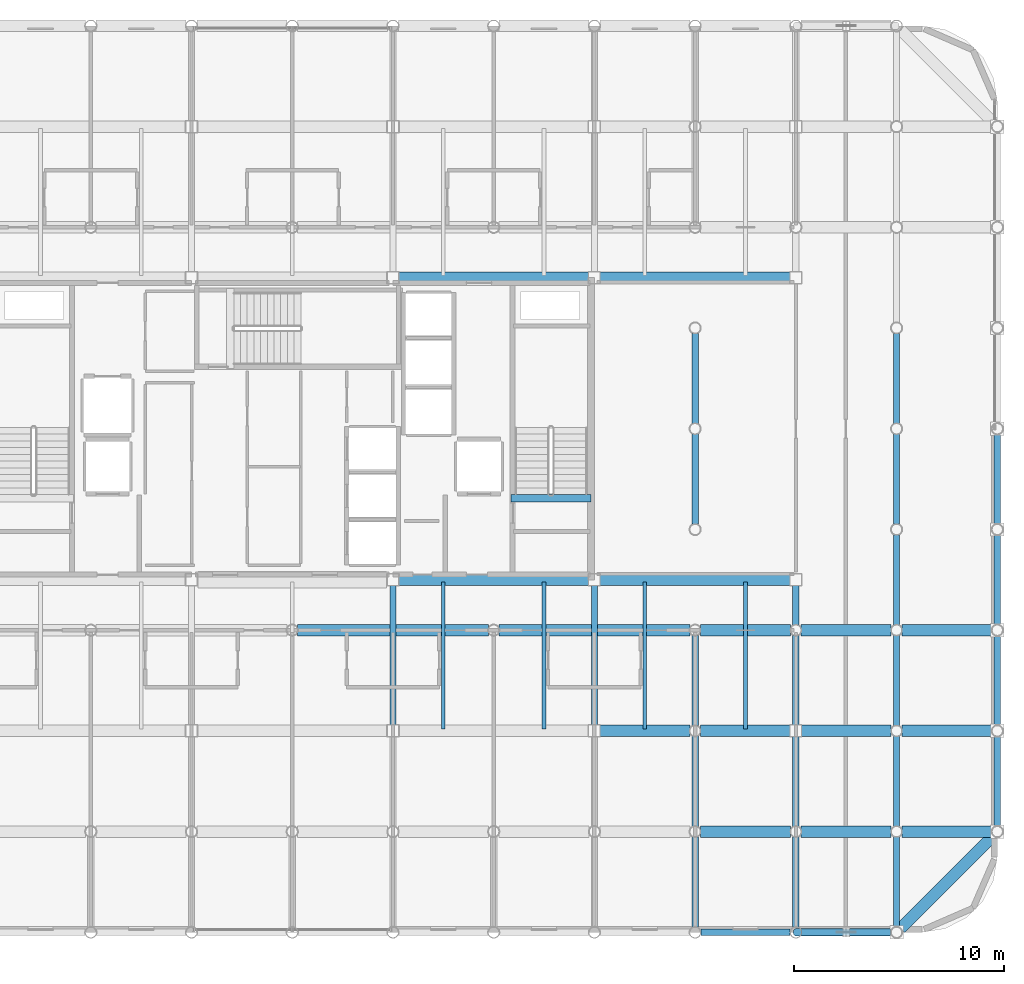
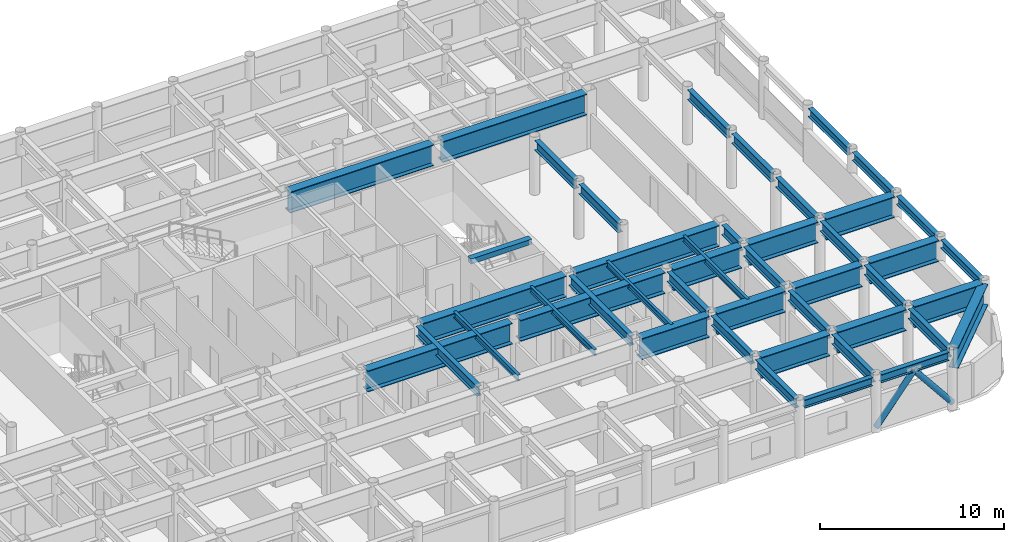
# One storey, part 9 of 22: 45 beams, 2 members.
"""IFC4 building model written with IfcOpenShell, lengths in metres."""

from ifc_helpers import new_model, si_unit, direction, frame, origin, origin_2d, place, context, subcontext, project, spatial, rectangle, hollow_circle, i_section, extrude, material, material_profile, profile_set, type_object, element, save


model = new_model("IFC4")

# Units and contexts
model_context = context("Model", 3, precision=1e-05, world=origin(), true_north=direction((0.0, 1.0)))
body_context = subcontext(model_context, "Body", "Model", "MODEL_VIEW")
ifc_project = project(units=[si_unit("LENGTHUNIT", "METRE"), si_unit("AREAUNIT", "SQUARE_METRE"), si_unit("VOLUMEUNIT", "CUBIC_METRE"), si_unit("PLANEANGLEUNIT", "RADIAN"), si_unit("MASSUNIT", "GRAM", prefix="KILO")], contexts=[model_context])

# Site, building, storey
site_placement = place(None, origin())
site = spatial("IfcSite", under=ifc_project, at=site_placement, CompositionType="ELEMENT")
building_placement = place(site_placement, origin())
building = spatial("IfcBuilding", under=site, at=building_placement, Name="Kallvorn Hotel Tower", CompositionType="ELEMENT")
storey_placement = place(building_placement, frame((0.0, 0.0, 191.5)))
storey = spatial("IfcBuildingStorey", under=building, at=storey_placement, Name="L47", CompositionType="ELEMENT", Elevation=191.5)

# Beams
ifc_material_1 = material(Name="Structural steel S355JR", Category="steel")
ifc_material_profile_1 = material_profile(ifc_material_1, i_section(OverallWidth=0.300048828125, OverallDepth=0.550048828125, WebThickness=0.014892578125, FlangeThickness=0.029052734375, at=origin_2d()), Name="HE 550 B")
ifc_profile_set_1 = profile_set([ifc_material_profile_1], Name="Structural steel S355JR")
beam_type_1 = type_object("IfcBeamType", Name="BM_HE550B", PredefinedType="SPANDREL", material=ifc_profile_set_1)
for number, where, z_axis, x_axis, name in (
    (1, (19.469482421875, -24.0, 3.39501953125), (1.0, 0.0, 0.0), (0.0, 1.0, 0.0), "L48 Perimeter Spandrel 160"),
    (2, (24.26953125, -24.0, 3.39501953125), (1.0, 0.0, 0.0), (0.0, 1.0, 0.0), "L48 Perimeter Spandrel 161"),
    (3, (33.60009765625, -18.930419921875, 3.39501953125), (0.0, 1.0, 0.0), (-1.0, 0.0, 0.0), "L48 Perimeter Spandrel 182"),
):
    element("IfcBeam", number, at=place(storey_placement, frame(where, z_axis=z_axis, x_axis=x_axis)), inside=storey, type_object=beam_type_1, Name=name, PredefinedType="SPANDREL", context=body_context, shape_type="SweptSolid", body=[
        extrude(i_section(OverallWidth=0.300048828125, OverallDepth=0.550048828125, WebThickness=0.014892578125, FlangeThickness=0.029052734375, at=origin_2d()), origin(), (0.0, 0.0, 1.0), 4.260986328125),
    ])
beam_1_placement = place(storey_placement, frame((33.60009765625, -14.130615234375, 3.39501953125), z_axis=(0.0, 1.0, 0.0), x_axis=(-1.0, 0.0, 0.0)))
element("IfcBeam", 4, at=beam_1_placement, inside=storey, type_object=beam_type_1, Name="L48 Perimeter Spandrel 183", PredefinedType="SPANDREL", context=body_context, shape_type="SweptSolid", body=[
    extrude(i_section(OverallWidth=0.300048828125, OverallDepth=0.550048828125, WebThickness=0.014892578125, FlangeThickness=0.029052734375, at=origin_2d()), origin(), (0.0, 0.0, 1.0), 4.26123046875),
])
for number, where, z_axis, x_axis, name in (
    (5, (33.60009765625, -9.33056640625, 3.39501953125), (0.0, 1.0, 0.0), (-1.0, 0.0, 0.0), "L48 Perimeter Spandrel 184"),
    (6, (33.60009765625, -4.530517578125, 3.39501953125), (0.0, 1.0, 0.0), (-1.0, 0.0, 0.0), "L48 Perimeter Spandrel 185"),
):
    element("IfcBeam", number, at=place(storey_placement, frame(where, z_axis=z_axis, x_axis=x_axis)), inside=storey, type_object=beam_type_1, Name=name, PredefinedType="SPANDREL", context=body_context, shape_type="SweptSolid", body=[
        extrude(i_section(OverallWidth=0.300048828125, OverallDepth=0.550048828125, WebThickness=0.014892578125, FlangeThickness=0.029052734375, at=origin_2d()), origin(), (0.0, 0.0, 1.0), 4.260986328125),
    ])
ifc_material_2 = material(Name="Structural steel S355JR", Category="steel")
ifc_material_profile_2 = material_profile(ifc_material_2, i_section(OverallWidth=0.300048828125, OverallDepth=0.64990234375, WebThickness=0.01611328125, FlangeThickness=0.031005859375, at=origin_2d()), Name="HE 650 B")
ifc_profile_set_2 = profile_set([ifc_material_profile_2], Name="Structural steel S355JR")
beam_type_2 = type_object("IfcBeamType", Name="BM_HE650B", PredefinedType="BEAM", material=ifc_profile_set_2)
for number, where, z_axis, x_axis, name in (
    (7, (4.800048828125, -14.125, 3.344970703125), (0.0, 1.0, 0.0), (-1.0, 0.0, 0.0), "L48 Primary Y-Girder 115"),
    (8, (14.39990234375, -14.125, 3.344970703125), (0.0, 1.0, 0.0), (-1.0, 0.0, 0.0), "L48 Primary Y-Girder 123"),
):
    element("IfcBeam", number, at=place(storey_placement, frame(where, z_axis=z_axis, x_axis=x_axis)), inside=storey, type_object=beam_type_2, Name=name, PredefinedType="BEAM", context=body_context, shape_type="SweptSolid", body=[
        extrude(i_section(OverallWidth=0.300048828125, OverallDepth=0.64990234375, WebThickness=0.01611328125, FlangeThickness=0.031005859375, at=origin_2d()), origin(), (0.0, 0.0, 1.0), 6.64990234375),
    ])
for number, where, z_axis, x_axis, name in (
    (9, (19.199951171875, -23.74560546875, 3.344970703125), (0.0, 1.0, 0.0), (-1.0, 0.0, 0.0), "L48 Primary Y-Girder 126"),
    (10, (19.199951171875, -18.945556640625, 3.344970703125), (0.0, 1.0, 0.0), (-1.0, 0.0, 0.0), "L48 Primary Y-Girder 127"),
    (11, (19.199951171875, -14.1455078125, 3.344970703125), (0.0, 1.0, 0.0), (-1.0, 0.0, 0.0), "L48 Primary Y-Girder 128"),
    (12, (19.199951171875, -4.54541015625, 3.344970703125), (0.0, 1.0, 0.0), (-1.0, 0.0, 0.0), "L48 Primary Y-Girder 130"),
    (13, (19.199951171875, 0.25439453125, 3.344970703125), (0.0, 1.0, 0.0), (-1.0, 0.0, 0.0), "L48 Primary Y-Girder 131"),
    (14, (24.0, -23.74560546875, 3.344970703125), (0.0, 1.0, 0.0), (-1.0, 0.0, 0.0), "L48 Primary Y-Girder 135"),
):
    element("IfcBeam", number, at=place(storey_placement, frame(where, z_axis=z_axis, x_axis=x_axis)), inside=storey, type_object=beam_type_2, Name=name, PredefinedType="BEAM", context=body_context, shape_type="SweptSolid", body=[
        extrude(i_section(OverallWidth=0.300048828125, OverallDepth=0.64990234375, WebThickness=0.01611328125, FlangeThickness=0.031005859375, at=origin_2d()), origin(), (0.0, 0.0, 1.0), 4.291015625),
    ])
for number, where, z_axis, x_axis, name in (
    (15, (24.0, -18.945556640625, 3.344970703125), (0.0, 1.0, 0.0), (-1.0, 0.0, 0.0), "L48 Primary Y-Girder 136"),
    (16, (24.0, -14.125, 3.344970703125), (0.0, 1.0, 0.0), (-1.0, 0.0, 0.0), "L48 Primary Y-Girder 137"),
):
    element("IfcBeam", number, at=place(storey_placement, frame(where, z_axis=z_axis, x_axis=x_axis)), inside=storey, type_object=beam_type_2, Name=name, PredefinedType="BEAM", context=body_context, shape_type="SweptSolid", body=[
        extrude(i_section(OverallWidth=0.300048828125, OverallDepth=0.64990234375, WebThickness=0.01611328125, FlangeThickness=0.031005859375, at=origin_2d()), origin(), (0.0, 0.0, 1.0), 4.2705078125),
    ])
beam_2_placement = place(storey_placement, frame((24.0, -9.345458984375, 3.344970703125), z_axis=(0.0, 1.0, 0.0), x_axis=(-1.0, 0.0, 0.0)))
element("IfcBeam", 17, at=beam_2_placement, inside=storey, type_object=beam_type_2, Name="L48 Primary Y-Girder 138", PredefinedType="BEAM", context=body_context, shape_type="SweptSolid", body=[
    extrude(i_section(OverallWidth=0.300048828125, OverallDepth=0.64990234375, WebThickness=0.01611328125, FlangeThickness=0.031005859375, at=origin_2d()), origin(), (0.0, 0.0, 1.0), 1.870361328125),
])
for number, where, z_axis, x_axis, name in (
    (18, (28.800048828125, -23.74560546875, 3.344970703125), (0.0, 1.0, 0.0), (-1.0, 0.0, 0.0), "L48 Primary Y-Girder 142"),
    (19, (28.800048828125, -18.945556640625, 3.344970703125), (0.0, 1.0, 0.0), (-1.0, 0.0, 0.0), "L48 Primary Y-Girder 143"),
    (20, (28.800048828125, -14.1455078125, 3.344970703125), (0.0, 1.0, 0.0), (-1.0, 0.0, 0.0), "L48 Primary Y-Girder 144"),
    (21, (28.800048828125, -9.345458984375, 3.344970703125), (0.0, 1.0, 0.0), (-1.0, 0.0, 0.0), "L48 Primary Y-Girder 145"),
    (22, (28.800048828125, -4.54541015625, 3.344970703125), (0.0, 1.0, 0.0), (-1.0, 0.0, 0.0), "L48 Primary Y-Girder 146"),
    (23, (28.800048828125, 0.25439453125, 3.344970703125), (0.0, 1.0, 0.0), (-1.0, 0.0, 0.0), "L48 Primary Y-Girder 147"),
):
    element("IfcBeam", number, at=place(storey_placement, frame(where, z_axis=z_axis, x_axis=x_axis)), inside=storey, type_object=beam_type_2, Name=name, PredefinedType="BEAM", context=body_context, shape_type="SweptSolid", body=[
        extrude(i_section(OverallWidth=0.300048828125, OverallDepth=0.64990234375, WebThickness=0.01611328125, FlangeThickness=0.031005859375, at=origin_2d()), origin(), (0.0, 0.0, 1.0), 4.291015625),
    ])
ifc_material_3 = material(Name="Structural steel S355JR", Category="steel")
ifc_material_profile_3 = material_profile(ifc_material_3, i_section(OverallWidth=0.179931640625, OverallDepth=0.39990234375, WebThickness=0.008544921875, FlangeThickness=0.013427734375, at=origin_2d()), Name="IPE 400")
ifc_profile_set_3 = profile_set([ifc_material_profile_3], Name="Structural steel S355JR")
beam_type_3 = type_object("IfcBeamType", Name="BM_IPE400", PredefinedType="JOIST", material=ifc_profile_set_3)
for number, where, z_axis, x_axis, name in (
    (24, (7.199951171875, -14.300048828125, 3.469970703125), (0.0, 1.0, 0.0), (-1.0, 0.0, 0.0), "L48 Secondary Composite Joist 202"),
    (25, (12.0, -14.300048828125, 3.469970703125), (0.0, 1.0, 0.0), (-1.0, 0.0, 0.0), "L48 Secondary Composite Joist 204"),
    (26, (16.800048828125, -14.300048828125, 3.469970703125), (0.0, 1.0, 0.0), (-1.0, 0.0, 0.0), "L48 Secondary Composite Joist 206"),
    (27, (21.60009765625, -14.300048828125, 3.469970703125), (0.0, 1.0, 0.0), (-1.0, 0.0, 0.0), "L48 Secondary Composite Joist 208"),
):
    element("IfcBeam", number, at=place(storey_placement, frame(where, z_axis=z_axis, x_axis=x_axis)), inside=storey, type_object=beam_type_3, Name=name, PredefinedType="JOIST", context=body_context, shape_type="SweptSolid", body=[
        extrude(i_section(OverallWidth=0.179931640625, OverallDepth=0.39990234375, WebThickness=0.008544921875, FlangeThickness=0.013427734375, at=origin_2d()), origin(), (0.0, 0.0, 1.0), 7.0),
    ])
ifc_material_4 = material(Name="Structural steel S355JR", Category="steel")
ifc_material_profile_4 = material_profile(ifc_material_4, i_section(OverallWidth=0.550048828125, OverallDepth=1.39990234375, WebThickness=0.02490234375, FlangeThickness=0.044921875, at=origin_2d()), Name="PG 1400x550x25x45")
ifc_profile_set_4 = profile_set([ifc_material_profile_4], Name="Structural steel S355JR")
beam_type_4 = type_object("IfcBeamType", Name="BM_PG_1400", PredefinedType="BEAM", material=ifc_profile_set_4)
for number, where, z_axis, x_axis, name in (
    (28, (19.45458984375, -19.199951171875, 2.969970703125), (1.0, 0.0, 0.0), (0.0, 1.0, 0.0), "L48 Primary X-Girder 11"),
    (29, (24.25439453125, -19.199951171875, 2.969970703125), (1.0, 0.0, 0.0), (0.0, 1.0, 0.0), "L48 Primary X-Girder 12"),
    (30, (29.054443359375, -19.199951171875, 2.969970703125), (1.0, 0.0, 0.0), (0.0, 1.0, 0.0), "L48 Primary X-Girder 13"),
):
    element("IfcBeam", number, at=place(storey_placement, frame(where, z_axis=z_axis, x_axis=x_axis)), inside=storey, type_object=beam_type_4, Name=name, PredefinedType="BEAM", context=body_context, shape_type="SweptSolid", body=[
        extrude(i_section(OverallWidth=0.550048828125, OverallDepth=1.39990234375, WebThickness=0.02490234375, FlangeThickness=0.044921875, at=origin_2d()), origin(), (0.0, 0.0, 1.0), 4.291015625),
    ])
for number, where, z_axis, x_axis, name in (
    (31, (14.675048828125, -14.39990234375, 2.969970703125), (1.0, 0.0, 0.0), (0.0, 1.0, 0.0), "L48 Primary X-Girder 20"),
    (32, (19.45458984375, -14.39990234375, 2.969970703125), (1.0, 0.0, 0.0), (0.0, 1.0, 0.0), "L48 Primary X-Girder 21"),
    (33, (24.27490234375, -14.39990234375, 2.969970703125), (1.0, 0.0, 0.0), (0.0, 1.0, 0.0), "L48 Primary X-Girder 22"),
):
    element("IfcBeam", number, at=place(storey_placement, frame(where, z_axis=z_axis, x_axis=x_axis)), inside=storey, type_object=beam_type_4, Name=name, PredefinedType="BEAM", context=body_context, shape_type="SweptSolid", body=[
        extrude(i_section(OverallWidth=0.550048828125, OverallDepth=1.39990234375, WebThickness=0.02490234375, FlangeThickness=0.044921875, at=origin_2d()), origin(), (0.0, 0.0, 1.0), 4.2705078125),
    ])
beam_3_placement = place(storey_placement, frame((29.054443359375, -14.39990234375, 2.969970703125), z_axis=(1.0, 0.0, 0.0), x_axis=(0.0, 1.0, 0.0)))
element("IfcBeam", 34, at=beam_3_placement, inside=storey, type_object=beam_type_4, Name="L48 Primary X-Girder 23", PredefinedType="BEAM", context=body_context, shape_type="SweptSolid", body=[
    extrude(i_section(OverallWidth=0.550048828125, OverallDepth=1.39990234375, WebThickness=0.02490234375, FlangeThickness=0.044921875, at=origin_2d()), origin(), (0.0, 0.0, 1.0), 4.291015625),
])
for number, where, z_axis, x_axis, name in (
    (35, (0.25439453125, -9.60009765625, 2.969970703125), (1.0, 0.0, 0.0), (0.0, 1.0, 0.0), "L48 Primary X-Girder 28"),
    (36, (9.8544921875, -9.60009765625, 2.969970703125), (1.0, 0.0, 0.0), (0.0, 1.0, 0.0), "L48 Primary X-Girder 29"),
):
    element("IfcBeam", number, at=place(storey_placement, frame(where, z_axis=z_axis, x_axis=x_axis)), inside=storey, type_object=beam_type_4, Name=name, PredefinedType="BEAM", context=body_context, shape_type="SweptSolid", body=[
        extrude(i_section(OverallWidth=0.550048828125, OverallDepth=1.39990234375, WebThickness=0.02490234375, FlangeThickness=0.044921875, at=origin_2d()), origin(), (0.0, 0.0, 1.0), 9.091064453125),
    ])
for number, where, z_axis, x_axis, name in (
    (37, (19.45458984375, -9.60009765625, 2.969970703125), (1.0, 0.0, 0.0), (0.0, 1.0, 0.0), "L48 Primary X-Girder 30"),
    (38, (24.25439453125, -9.60009765625, 2.969970703125), (1.0, 0.0, 0.0), (0.0, 1.0, 0.0), "L48 Primary X-Girder 31"),
    (39, (29.054443359375, -9.60009765625, 2.969970703125), (1.0, 0.0, 0.0), (0.0, 1.0, 0.0), "L48 Primary X-Girder 32"),
):
    element("IfcBeam", number, at=place(storey_placement, frame(where, z_axis=z_axis, x_axis=x_axis)), inside=storey, type_object=beam_type_4, Name=name, PredefinedType="BEAM", context=body_context, shape_type="SweptSolid", body=[
        extrude(i_section(OverallWidth=0.550048828125, OverallDepth=1.39990234375, WebThickness=0.02490234375, FlangeThickness=0.044921875, at=origin_2d()), origin(), (0.0, 0.0, 1.0), 4.291015625),
    ])
for number, where, z_axis, x_axis, name in (
    (40, (5.074951171875, -7.199951171875, 2.969970703125), (1.0, 0.0, 0.0), (0.0, 1.0, 0.0), "L48 Primary X-Girder 35"),
    (41, (14.675048828125, -7.199951171875, 2.969970703125), (1.0, 0.0, 0.0), (0.0, 1.0, 0.0), "L48 Primary X-Girder 36"),
    (42, (5.074951171875, 7.199951171875, 2.969970703125), (1.0, 0.0, 0.0), (0.0, 1.0, 0.0), "L48 Primary X-Girder 40"),
    (43, (14.675048828125, 7.199951171875, 2.969970703125), (1.0, 0.0, 0.0), (0.0, 1.0, 0.0), "L48 Primary X-Girder 41"),
):
    element("IfcBeam", number, at=place(storey_placement, frame(where, z_axis=z_axis, x_axis=x_axis)), inside=storey, type_object=beam_type_4, Name=name, PredefinedType="BEAM", context=body_context, shape_type="SweptSolid", body=[
        extrude(i_section(OverallWidth=0.550048828125, OverallDepth=1.39990234375, WebThickness=0.02490234375, FlangeThickness=0.044921875, at=origin_2d()), origin(), (0.0, 0.0, 1.0), 9.050048828125),
    ])
beam_4_placement = place(storey_placement, frame((33.409423828125, -19.390625, 2.969970703125), z_axis=(-0.707126314793, -0.707087247041, 0.0), x_axis=(0.707087247041, -0.707126314793, 0.0)))
element("IfcBeam", 44, at=beam_4_placement, inside=storey, type_object=beam_type_4, Name="L48 Rounded Corner Tie Beam 190", PredefinedType="BEAM", context=body_context, shape_type="SweptSolid", body=[
    extrude(i_section(OverallWidth=0.550048828125, OverallDepth=1.39990234375, WebThickness=0.02490234375, FlangeThickness=0.044921875, at=origin_2d()), origin(), (0.0, 0.0, 1.0), 6.249267578125),
])
ifc_material_5 = material(Name="Concrete C50/60", Category="concrete")
ifc_material_profile_5 = material_profile(ifc_material_5, rectangle(XDim=0.360107421875, YDim=0.340087890625, at=origin_2d()), Name="RC 360x340")
ifc_profile_set_5 = profile_set([ifc_material_profile_5], Name="Concrete C50/60")
beam_type_5 = type_object("IfcBeamType", Name="BM_RC_400x360", PredefinedType="BEAM", material=ifc_profile_set_5)
beam_5_placement = place(storey_placement, frame((14.239990234375, -3.31005859375, 3.5), z_axis=(-1.0, 0.0, 0.0), x_axis=(0.0, -1.0, 0.0)))
element("IfcBeam", 45, at=beam_5_placement, inside=storey, type_object=beam_type_5, Name="L48 Stair ST2 Arrival Trimmer Beam", PredefinedType="BEAM", context=body_context, shape_type="SweptSolid", body=[
    extrude(rectangle(XDim=0.360107421875, YDim=0.340087890625, at=origin_2d()), origin(), (0.0, 0.0, 1.0), 3.820068359375),
])

# Members
ifc_material_6 = material(Name="Structural steel S355J2H", Category="steel")
ifc_material_profile_6 = material_profile(ifc_material_6, hollow_circle(Radius=0.177734375, WallThickness=0.01416015625, at=origin_2d()), Name="CHS 355.6x14.2")
ifc_profile_set_6 = profile_set([ifc_material_profile_6], Name="Structural steel S355J2H")
member_type = type_object("IfcMemberType", Name="MBR_EXO_CHS355", PredefinedType="BRACE", material=ifc_profile_set_6)
for number, where, z_axis, x_axis, name in (
    (46, (24.012451171875, -24.0, 0.195556640625), (0.627270878626, 0.0, 0.778801158722), (0.0, 1.0, 0.0), "L47 Exoskeleton K-Brace S2A"),
    (47, (28.78759765625, -24.0, 0.195556640625), (-0.627270878626, 0.0, 0.778801158722), (0.0, -1.0, 0.0), "L47 Exoskeleton K-Brace S2B"),
):
    element("IfcMember", number, at=place(storey_placement, frame(where, z_axis=z_axis, x_axis=x_axis)), inside=storey, type_object=member_type, Name=name, PredefinedType="BRACE", context=body_context, shape_type="SweptSolid", body=[
        extrude(hollow_circle(Radius=0.177734375, WallThickness=0.01416015625, at=origin_2d()), origin(), (0.0, 0.0, 1.0), 3.7861328125),
    ])

save(model, "model.ifc")
